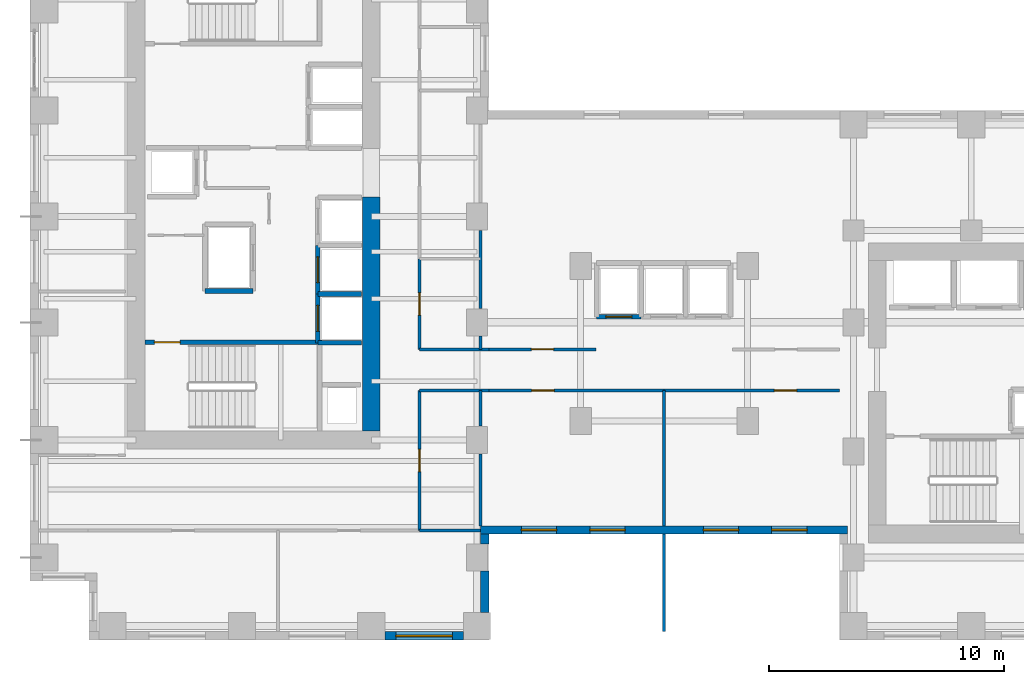
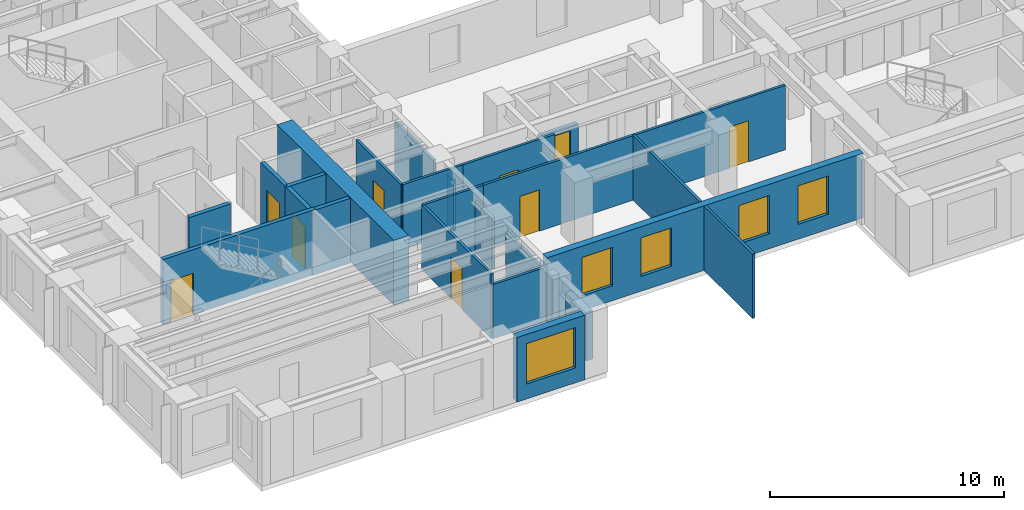
# One storey, part 5 of 13: 26 walls, 9 doors, 5 windows, 14 openings.
"""IFC4 building model written with IfcOpenShell, lengths in metres."""

from ifc_helpers import new_model, si_unit, direction, frame, frame_2d, origin, place, context, subcontext, project, spatial, rectangle, extrude, source, transform, mapped, material, layer, layer_set, type_object, element, fill, save


model = new_model("IFC4")

# Units and contexts
model_context = context("Model", 3, precision=1e-05, world=origin(), true_north=direction((0.0, 1.0)))
body_context = subcontext(model_context, "Body", "Model", "MODEL_VIEW")
ifc_project = project(units=[si_unit("LENGTHUNIT", "METRE"), si_unit("AREAUNIT", "SQUARE_METRE"), si_unit("VOLUMEUNIT", "CUBIC_METRE"), si_unit("PLANEANGLEUNIT", "RADIAN"), si_unit("MASSUNIT", "GRAM", prefix="KILO")], contexts=[model_context])

# Site, building, storey
site_placement = place(None, origin())
site = spatial("IfcSite", under=ifc_project, at=site_placement, CompositionType="ELEMENT")
building_placement = place(site_placement, origin())
building = spatial("IfcBuilding", under=site, at=building_placement, Name="Kharzan Plaza Tower", CompositionType="ELEMENT")
storey_placement = place(building_placement, frame((0.0, 0.0, 77.39990234375)))
storey = spatial("IfcBuildingStorey", under=building, at=storey_placement, Name="L20", CompositionType="ELEMENT", Elevation=77.39990234375)

# Wall, opening, window
ifc_material_1 = material(Name="Concrete C40/50", Category="concrete")
ifc_layer_1 = layer(ifc_material_1, 0.35009765625)
ifc_layer_set_1 = layer_set([ifc_layer_1], Name="Concrete C40/50")
wall_type_1 = type_object("IfcWallType", Name="WL-EXT-MAS-Z2", PredefinedType="SOLIDWALL", material=ifc_layer_set_1)
wall_1_placement = place(storey_placement, frame((15.072998046875, 0.175048828125, 0.0), z_axis=(0.0, 0.0, 1.0), x_axis=(1.0, 0.0, 0.0)))
wall_1 = element("IfcWall", 1, at=wall_1_placement, inside=storey, type_object=wall_type_1, Name="L20 Masonry-Frame Exterior Wall 25", PredefinedType="SOLIDWALL", context=body_context, shape_type="SweptSolid", body=[
    extrude(rectangle(XDim=3.35400390625, YDim=0.35009765625, at=frame_2d((1.677001953125, 0.0))), origin(), (0.0, 0.0, 1.0), 3.364990234375),
])
opening_1_placement = place(wall_1_placement, frame((0.47705078125, 0.0, 0.780029296875)))
opening_1 = element("IfcOpeningElement", 2, at=opening_1_placement, cuts=wall_1, Name="Opening W2", PredefinedType="OPENING", context=body_context, shape_type="SweptSolid", body=[
    extrude(rectangle(XDim=2.39990234375, YDim=2.10009765625, at=frame_2d((1.199951171875, 1.050048828125))), frame((0.0, 0.18505859375, 0.0), z_axis=(0.0, -1.0, 0.0), x_axis=(1.0, 0.0, 0.0)), (0.0, 0.0, 1.0), 0.3701171875),
])
ifc_material_2 = material(Name="Low-E Double Glazing", Category="glass")
window_type_1 = type_object("IfcWindowType", Name="WN-REC-2400x2100", PartitioningType="SINGLE_PANEL", PredefinedType="WINDOW", material=ifc_material_2)
shared_shape_1 = source(origin(), body_context, "Body", "SweptSolid", [
    extrude(rectangle(XDim=2.39990234375, YDim=2.10009765625, at=frame_2d((1.199951171875, 1.050048828125))), frame((0.0, 0.030029296875, 0.0), z_axis=(0.0, -1.0, 0.0), x_axis=(1.0, 0.0, 0.0)), (0.0, 0.0, 1.0), 0.06005859375),
])
window_1_placement = place(opening_1_placement, origin())
window_1 = element("IfcWindow", 3, at=window_1_placement, inside=storey, type_object=window_type_1, Name="L20 Wide Recessed Solar-Control Window 25-1", OverallHeight=2.10009765625, OverallWidth=2.39990234375, PartitioningType="SINGLE_PANEL", PredefinedType="WINDOW", context=body_context, shape_type="MappedRepresentation", body=[
    mapped(shared_shape_1, transform((0.0, 0.0, 0.0), x_axis=(1.0, 0.0, 0.0), y_axis=(0.0, 1.0, 0.0), z_axis=(0.0, 0.0, 1.0))),
])
fill(opening_1, window_1)

# Wall, openings, windows
wall_2_placement = place(storey_placement, frame((19.14990234375, 4.675048828125, 0.0), z_axis=(0.0, 0.0, 1.0), x_axis=(1.0, 0.0, 0.0)))
wall_2 = element("IfcWall", 4, at=wall_2_placement, inside=storey, type_object=wall_type_1, Name="L20 Masonry-Frame Exterior Wall 28", PredefinedType="SOLIDWALL", context=body_context, shape_type="SweptSolid", body=[
    extrude(rectangle(XDim=15.60009765625, YDim=0.35009765625, at=frame_2d((7.800048828125, 0.0))), origin(), (0.0, 0.0, 1.0), 3.364990234375),
])
opening_2_placement = place(wall_2_placement, frame((1.72998046875, 0.0, 0.780029296875)))
opening_2 = element("IfcOpeningElement", 5, at=opening_2_placement, cuts=wall_2, Name="Opening W5", PredefinedType="OPENING", context=body_context, shape_type="SweptSolid", body=[
    extrude(rectangle(XDim=1.5, YDim=2.0, at=frame_2d((0.75, 1.0))), frame((0.0, 0.18505859375, 0.0), z_axis=(0.0, -1.0, 0.0), x_axis=(1.0, 0.0, 0.0)), (0.0, 0.0, 1.0), 0.3701171875),
])
opening_3_placement = place(wall_2_placement, frame((4.639892578125, 0.0, 0.780029296875)))
opening_3 = element("IfcOpeningElement", 6, at=opening_3_placement, cuts=wall_2, Name="Opening W5", PredefinedType="OPENING", context=body_context, shape_type="SweptSolid", body=[
    extrude(rectangle(XDim=1.5, YDim=2.0, at=frame_2d((0.75, 1.0))), frame((0.0, 0.18505859375, 0.0), z_axis=(0.0, -1.0, 0.0), x_axis=(1.0, 0.0, 0.0)), (0.0, 0.0, 1.0), 0.3701171875),
])
opening_4_placement = place(wall_2_placement, frame((9.4599609375, 0.0, 0.780029296875)))
opening_4 = element("IfcOpeningElement", 7, at=opening_4_placement, cuts=wall_2, Name="Opening W5", PredefinedType="OPENING", context=body_context, shape_type="SweptSolid", body=[
    extrude(rectangle(XDim=1.5, YDim=2.0, at=frame_2d((0.75, 1.0))), frame((0.0, 0.18505859375, 0.0), z_axis=(0.0, -1.0, 0.0), x_axis=(1.0, 0.0, 0.0)), (0.0, 0.0, 1.0), 0.3701171875),
])
opening_5_placement = place(wall_2_placement, frame((12.3701171875, 0.0, 0.780029296875)))
opening_5 = element("IfcOpeningElement", 8, at=opening_5_placement, cuts=wall_2, Name="Opening W5", PredefinedType="OPENING", context=body_context, shape_type="SweptSolid", body=[
    extrude(rectangle(XDim=1.5, YDim=2.0, at=frame_2d((0.75, 1.0))), frame((0.0, 0.18505859375, 0.0), z_axis=(0.0, -1.0, 0.0), x_axis=(1.0, 0.0, 0.0)), (0.0, 0.0, 1.0), 0.3701171875),
])
window_type_2 = type_object("IfcWindowType", Name="WN-SLT-1500x2000", PartitioningType="SINGLE_PANEL", PredefinedType="WINDOW", material=ifc_material_2)
shared_shape_2 = source(origin(), body_context, "Body", "SweptSolid", [
    extrude(rectangle(XDim=1.5, YDim=2.0, at=frame_2d((0.75, 1.0))), frame((0.0, 0.030029296875, 0.0), z_axis=(0.0, -1.0, 0.0), x_axis=(1.0, 0.0, 0.0)), (0.0, 0.0, 1.0), 0.06005859375),
])
window_2_placement = place(opening_2_placement, origin())
window_2 = element("IfcWindow", 9, at=window_2_placement, inside=storey, type_object=window_type_2, Name="L20 Recessed Solar-Control Window 28-1", OverallHeight=2.0, OverallWidth=1.5, PartitioningType="SINGLE_PANEL", PredefinedType="WINDOW", context=body_context, shape_type="MappedRepresentation", body=[
    mapped(shared_shape_2, transform((0.0, 0.0, 0.0), x_axis=(1.0, 0.0, 0.0), y_axis=(0.0, 1.0, 0.0), z_axis=(0.0, 0.0, 1.0))),
])
fill(opening_2, window_2)
window_3_placement = place(opening_3_placement, origin())
window_3 = element("IfcWindow", 10, at=window_3_placement, inside=storey, type_object=window_type_2, Name="L20 Recessed Solar-Control Window 28-2", OverallHeight=2.0, OverallWidth=1.5, PartitioningType="SINGLE_PANEL", PredefinedType="WINDOW", context=body_context, shape_type="MappedRepresentation", body=[
    mapped(shared_shape_2, transform((0.0, 0.0, 0.0), x_axis=(1.0, 0.0, 0.0), y_axis=(0.0, 1.0, 0.0), z_axis=(0.0, 0.0, 1.0))),
])
fill(opening_3, window_3)
window_4_placement = place(opening_4_placement, origin())
window_4 = element("IfcWindow", 11, at=window_4_placement, inside=storey, type_object=window_type_2, Name="L20 Recessed Solar-Control Window 28-3", OverallHeight=2.0, OverallWidth=1.5, PartitioningType="SINGLE_PANEL", PredefinedType="WINDOW", context=body_context, shape_type="MappedRepresentation", body=[
    mapped(shared_shape_2, transform((0.0, 0.0, 0.0), x_axis=(1.0, 0.0, 0.0), y_axis=(0.0, 1.0, 0.0), z_axis=(0.0, 0.0, 1.0))),
])
fill(opening_4, window_4)
window_5_placement = place(opening_5_placement, origin())
window_5 = element("IfcWindow", 12, at=window_5_placement, inside=storey, type_object=window_type_2, Name="L20 Recessed Solar-Control Window 28-4", OverallHeight=2.0, OverallWidth=1.5, PartitioningType="SINGLE_PANEL", PredefinedType="WINDOW", context=body_context, shape_type="MappedRepresentation", body=[
    mapped(shared_shape_2, transform((0.0, 0.0, 0.0), x_axis=(1.0, 0.0, 0.0), y_axis=(0.0, 1.0, 0.0), z_axis=(0.0, 0.0, 1.0))),
])
fill(opening_5, window_5)

# Wall, opening, door
ifc_material_3 = material(Name="Fire-Rated Gypsum Board Partition", Category="gypsum")
ifc_layer_2 = layer(ifc_material_3, 0.125)
ifc_layer_set_2 = layer_set([ifc_layer_2], Name="Fire-Rated Gypsum Board Partition")
wall_type_2 = type_object("IfcWallType", Name="WL-INT-PART-125", PredefinedType="PARTITIONING", material=ifc_layer_set_2)
wall_3_placement = place(storey_placement, frame((16.550048828125, 12.35009765625, 0.0), z_axis=(0.0, 0.0, 1.0), x_axis=(0.0, 1.0, 0.0)))
wall_3 = element("IfcWall", 13, at=wall_3_placement, inside=storey, type_object=wall_type_2, Name="L20 Interior Partition SH-AEWN1", PredefinedType="PARTITIONING", context=body_context, shape_type="SweptSolid", body=[
    extrude(rectangle(XDim=3.849853515625, YDim=0.125, at=frame_2d((1.9248046875, 0.0))), origin(), (0.0, 0.0, 1.0), 3.364990234375),
])
opening_6_placement = place(wall_3_placement, frame((1.449951171875, 0.0, 0.0)))
opening_6 = element("IfcOpeningElement", 14, at=opening_6_placement, cuts=wall_3, Name="Opening OD1", PredefinedType="OPENING", context=body_context, shape_type="SweptSolid", body=[
    extrude(rectangle(XDim=0.949951171875, YDim=2.14990234375, at=frame_2d((0.47509765625, 1.074951171875))), frame((0.0, 0.072509765625, 0.0), z_axis=(0.0, -1.0, 0.0), x_axis=(1.0, 0.0, 0.0)), (0.0, 0.0, 1.0), 0.14501953125),
])
ifc_material_4 = material(Name="Acoustic Solid-Core Stained Oak", Category="timber")
door_type_1 = type_object("IfcDoorType", Name="DR-OFF-SINGLE", OperationType="NOTDEFINED", PredefinedType="DOOR", material=ifc_material_4)
shared_shape_3 = source(origin(), body_context, "Body", "SweptSolid", [
    extrude(rectangle(XDim=0.949951171875, YDim=2.14990234375, at=frame_2d((0.47509765625, 1.074951171875))), frame((0.0, 0.02490234375, 0.0), z_axis=(0.0, -1.0, 0.0), x_axis=(1.0, 0.0, 0.0)), (0.0, 0.0, 1.0), 0.050048828125),
])
door_1_placement = place(opening_6_placement, origin())
door_1 = element("IfcDoor", 15, at=door_1_placement, inside=storey, type_object=door_type_1, Name="L20 Slot Collaboration Door", OperationType="SINGLE_SWING_RIGHT", OverallHeight=2.14990234375, OverallWidth=0.949951171875, PredefinedType="DOOR", context=body_context, shape_type="MappedRepresentation", body=[
    mapped(shared_shape_3, transform((0.0, 0.0, 0.0), x_axis=(1.0, 0.0, 0.0), y_axis=(0.0, 1.0, 0.0), z_axis=(0.0, 0.0, 1.0))),
])
fill(opening_6, door_1)

wall_4_placement = place(storey_placement, frame((16.550048828125, 4.64990234375, 0.0), z_axis=(0.0, 0.0, 1.0), x_axis=(0.0, 1.0, 0.0)))
wall_4 = element("IfcWall", 16, at=wall_4_placement, inside=storey, type_object=wall_type_2, Name="L20 Interior Partition SH-AEWS", PredefinedType="PARTITIONING", context=body_context, shape_type="SweptSolid", body=[
    extrude(rectangle(XDim=5.9501953125, YDim=0.125, at=frame_2d((2.97509765625, 0.0))), origin(), (0.0, 0.0, 1.0), 3.364990234375),
])
opening_7_placement = place(wall_4_placement, frame((2.5, 0.0, 0.0)))
opening_7 = element("IfcOpeningElement", 17, at=opening_7_placement, cuts=wall_4, Name="Opening OD1", PredefinedType="OPENING", context=body_context, shape_type="SweptSolid", body=[
    extrude(rectangle(XDim=0.949951171875, YDim=2.14990234375, at=frame_2d((0.47509765625, 1.074951171875))), frame((0.0, 0.072509765625, 0.0), z_axis=(0.0, -1.0, 0.0), x_axis=(1.0, 0.0, 0.0)), (0.0, 0.0, 1.0), 0.14501953125),
])
door_2_placement = place(opening_7_placement, origin())
door_2 = element("IfcDoor", 18, at=door_2_placement, inside=storey, type_object=door_type_1, Name="L20 Slot South Office Door", OperationType="SINGLE_SWING_LEFT", OverallHeight=2.14990234375, OverallWidth=0.949951171875, PredefinedType="DOOR", context=body_context, shape_type="MappedRepresentation", body=[
    mapped(shared_shape_3, transform((0.0, 0.0, 0.0), x_axis=(1.0, 0.0, 0.0), y_axis=(0.0, 1.0, 0.0), z_axis=(0.0, 0.0, 1.0))),
])
fill(opening_7, door_2)

wall_5_placement = place(storey_placement, frame((19.5, 12.35009765625, 0.0), z_axis=(0.0, 0.0, 1.0), x_axis=(1.0, 0.0, 0.0)))
wall_5 = element("IfcWall", 19, at=wall_5_placement, inside=storey, type_object=wall_type_2, Name="L20 Interior Partition SH-SPNW1", PredefinedType="PARTITIONING", context=body_context, shape_type="SweptSolid", body=[
    extrude(rectangle(XDim=4.550048828125, YDim=0.125, at=frame_2d((2.27490234375, 0.0))), origin(), (0.0, 0.0, 1.0), 3.364990234375),
])
opening_8_placement = place(wall_5_placement, frame((1.800048828125, 0.0, 0.0)))
opening_8 = element("IfcOpeningElement", 20, at=opening_8_placement, cuts=wall_5, Name="Opening OD1", PredefinedType="OPENING", context=body_context, shape_type="SweptSolid", body=[
    extrude(rectangle(XDim=0.949951171875, YDim=2.14990234375, at=frame_2d((0.47509765625, 1.074951171875))), frame((0.0, 0.072509765625, 0.0), z_axis=(0.0, -1.0, 0.0), x_axis=(1.0, 0.0, 0.0)), (0.0, 0.0, 1.0), 0.14501953125),
])
door_3_placement = place(opening_8_placement, origin())
door_3 = element("IfcDoor", 21, at=door_3_placement, inside=storey, type_object=door_type_1, Name="L20 North-West Spine Door", OperationType="SINGLE_SWING_RIGHT", OverallHeight=2.14990234375, OverallWidth=0.949951171875, PredefinedType="DOOR", context=body_context, shape_type="MappedRepresentation", body=[
    mapped(shared_shape_3, transform((0.0, 0.0, 0.0), x_axis=(1.0, 0.0, 0.0), y_axis=(0.0, 1.0, 0.0), z_axis=(0.0, 0.0, 1.0))),
])
fill(opening_8, door_3)

wall_6_placement = place(storey_placement, frame((19.5, 10.60009765625, 0.0), z_axis=(0.0, 0.0, 1.0), x_axis=(1.0, 0.0, 0.0)))
wall_6 = element("IfcWall", 22, at=wall_6_placement, inside=storey, type_object=wall_type_2, Name="L20 Interior Partition SH-SPS1", PredefinedType="PARTITIONING", context=body_context, shape_type="SweptSolid", body=[
    extrude(rectangle(XDim=7.449951171875, YDim=0.125, at=frame_2d((3.72509765625, 0.0))), origin(), (0.0, 0.0, 1.0), 3.364990234375),
])
opening_9_placement = place(wall_6_placement, frame((1.8173828125, 0.0, 0.0)))
opening_9 = element("IfcOpeningElement", 23, at=opening_9_placement, cuts=wall_6, Name="Opening OD1", PredefinedType="OPENING", context=body_context, shape_type="SweptSolid", body=[
    extrude(rectangle(XDim=0.949951171875, YDim=2.14990234375, at=frame_2d((0.47509765625, 1.074951171875))), frame((0.0, 0.072509765625, 0.0), z_axis=(0.0, -1.0, 0.0), x_axis=(1.0, 0.0, 0.0)), (0.0, 0.0, 1.0), 0.14501953125),
])
door_4_placement = place(opening_9_placement, origin())
door_4 = element("IfcDoor", 24, at=door_4_placement, inside=storey, type_object=door_type_1, Name="L20 South Spine West Door", OperationType="SINGLE_SWING_RIGHT", OverallHeight=2.14990234375, OverallWidth=0.949951171875, PredefinedType="DOOR", context=body_context, shape_type="MappedRepresentation", body=[
    mapped(shared_shape_3, transform((0.0, 0.0, 0.0), x_axis=(1.0, 0.0, 0.0), y_axis=(0.0, 1.0, 0.0), z_axis=(0.0, 0.0, 1.0))),
])
fill(opening_9, door_4)

wall_7_placement = place(storey_placement, frame((26.949951171875, 10.60009765625, 0.0), z_axis=(0.0, 0.0, 1.0), x_axis=(1.0, 0.0, 0.0)))
wall_7 = element("IfcWall", 25, at=wall_7_placement, inside=storey, type_object=wall_type_2, Name="L20 Interior Partition SH-SPS2", PredefinedType="PARTITIONING", context=body_context, shape_type="SweptSolid", body=[
    extrude(rectangle(XDim=7.449951171875, YDim=0.125, at=frame_2d((3.72509765625, 0.0))), origin(), (0.0, 0.0, 1.0), 3.364990234375),
])
opening_10_placement = place(wall_7_placement, frame((4.6826171875, 0.0, 0.0)))
opening_10 = element("IfcOpeningElement", 26, at=opening_10_placement, cuts=wall_7, Name="Opening OD1", PredefinedType="OPENING", context=body_context, shape_type="SweptSolid", body=[
    extrude(rectangle(XDim=0.949951171875, YDim=2.14990234375, at=frame_2d((0.47509765625, 1.074951171875))), frame((0.0, 0.072509765625, 0.0), z_axis=(0.0, -1.0, 0.0), x_axis=(1.0, 0.0, 0.0)), (0.0, 0.0, 1.0), 0.14501953125),
])
door_5_placement = place(opening_10_placement, origin())
door_5 = element("IfcDoor", 27, at=door_5_placement, inside=storey, type_object=door_type_1, Name="L20 South Spine East Door", OperationType="SINGLE_SWING_LEFT", OverallHeight=2.14990234375, OverallWidth=0.949951171875, PredefinedType="DOOR", context=body_context, shape_type="MappedRepresentation", body=[
    mapped(shared_shape_3, transform((0.0, 0.0, 0.0), x_axis=(1.0, 0.0, 0.0), y_axis=(0.0, 1.0, 0.0), z_axis=(0.0, 0.0, 1.0))),
])
fill(opening_10, door_5)

ifc_layer_3 = layer(ifc_material_1, 0.199951171875)
ifc_layer_set_3 = layer_set([ifc_layer_3], Name="Concrete C40/50")
wall_type_3 = type_object("IfcWallType", Name="WL-INT-SHAFT-200", PredefinedType="PARTITIONING", material=ifc_layer_set_3)
wall_8_placement = place(storey_placement, frame((12.22998046875, 12.6298828125, 0.0), z_axis=(0.0, 0.0, 1.0), x_axis=(0.0, 1.0, 0.0)))
wall_8 = element("IfcWall", 28, at=wall_8_placement, inside=storey, type_object=wall_type_3, Name="L20 Interior Partition SHF-PL-H1-W", PredefinedType="PARTITIONING", context=body_context, shape_type="SweptSolid", body=[
    extrude(rectangle(XDim=2.070068359375, YDim=0.199951171875, at=frame_2d((1.03515625, 0.0))), origin(), (0.0, 0.0, 1.0), 3.364990234375),
])
opening_11_placement = place(wall_8_placement, frame((0.485107421875, 0.0, 0.0)))
opening_11 = element("IfcOpeningElement", 29, at=opening_11_placement, cuts=wall_8, Name="Opening LD", PredefinedType="OPENING", context=body_context, shape_type="SweptSolid", body=[
    extrude(rectangle(XDim=1.10009765625, YDim=2.199951171875, at=frame_2d((0.550048828125, 1.10009765625))), frame((0.0, 0.10986328125, 0.0), z_axis=(0.0, -1.0, 0.0), x_axis=(1.0, 0.0, 0.0)), (0.0, 0.0, 1.0), 0.219970703125),
])
ifc_material_5 = material(Name="Brushed Stainless Steel", Category="steel")
door_type_2 = type_object("IfcDoorType", Name="DR-LIFT-SLIDE", OperationType="SLIDING_TO_LEFT", PredefinedType="DOOR", material=ifc_material_5)
shared_shape_4 = source(origin(), body_context, "Body", "SweptSolid", [
    extrude(rectangle(XDim=1.10009765625, YDim=2.199951171875, at=frame_2d((0.550048828125, 1.10009765625))), frame((0.0, 0.02490234375, 0.0), z_axis=(0.0, -1.0, 0.0), x_axis=(1.0, 0.0, 0.0)), (0.0, 0.0, 1.0), 0.050048828125),
])
door_6_placement = place(opening_11_placement, origin())
door_6 = element("IfcDoor", 30, at=door_6_placement, inside=storey, type_object=door_type_2, Name="L20 High-Rise Passenger Lift PL-H1 Sliding Landing Door", OperationType="SLIDING_TO_LEFT", OverallHeight=2.199951171875, OverallWidth=1.10009765625, PredefinedType="DOOR", context=body_context, shape_type="MappedRepresentation", body=[
    mapped(shared_shape_4, transform((0.0, 0.0, 0.0), x_axis=(1.0, 0.0, 0.0), y_axis=(0.0, 1.0, 0.0), z_axis=(0.0, 0.0, 1.0))),
])
fill(opening_11, door_6)

wall_9_placement = place(storey_placement, frame((12.22998046875, 14.699951171875, 0.0), z_axis=(0.0, 0.0, 1.0), x_axis=(0.0, 1.0, 0.0)))
wall_9 = element("IfcWall", 31, at=wall_9_placement, inside=storey, type_object=wall_type_3, Name="L20 Interior Partition SHF-PL-H2-W", PredefinedType="PARTITIONING", context=body_context, shape_type="SweptSolid", body=[
    extrude(rectangle(XDim=2.070068359375, YDim=0.199951171875, at=frame_2d((1.03515625, 0.0))), origin(), (0.0, 0.0, 1.0), 3.364990234375),
])
opening_12_placement = place(wall_9_placement, frame((0.485107421875, 0.0, 0.0)))
opening_12 = element("IfcOpeningElement", 32, at=opening_12_placement, cuts=wall_9, Name="Opening LD", PredefinedType="OPENING", context=body_context, shape_type="SweptSolid", body=[
    extrude(rectangle(XDim=1.10009765625, YDim=2.199951171875, at=frame_2d((0.550048828125, 1.10009765625))), frame((0.0, 0.10986328125, 0.0), z_axis=(0.0, -1.0, 0.0), x_axis=(1.0, 0.0, 0.0)), (0.0, 0.0, 1.0), 0.219970703125),
])
door_7_placement = place(opening_12_placement, origin())
door_7 = element("IfcDoor", 33, at=door_7_placement, inside=storey, type_object=door_type_2, Name="L20 High-Rise Passenger Lift PL-H2 Sliding Landing Door", OperationType="SLIDING_TO_LEFT", OverallHeight=2.199951171875, OverallWidth=1.10009765625, PredefinedType="DOOR", context=body_context, shape_type="MappedRepresentation", body=[
    mapped(shared_shape_4, transform((0.0, 0.0, 0.0), x_axis=(1.0, 0.0, 0.0), y_axis=(0.0, 1.0, 0.0), z_axis=(0.0, 0.0, 1.0))),
])
fill(opening_12, door_7)

wall_10_placement = place(storey_placement, frame((24.080078125, 13.72998046875, 0.0), z_axis=(0.0, 0.0, 1.0), x_axis=(1.0, 0.0, 0.0)))
wall_10 = element("IfcWall", 34, at=wall_10_placement, inside=storey, type_object=wall_type_3, Name="L20 Interior Partition SHF-PL-M1-S", PredefinedType="PARTITIONING", context=body_context, shape_type="SweptSolid", body=[
    extrude(rectangle(XDim=1.889892578125, YDim=0.199951171875, at=frame_2d((0.94482421875, 0.0))), origin(), (0.0, 0.0, 1.0), 2.446044921875),
])
opening_13_placement = place(wall_10_placement, frame((0.39501953125, 0.0, 0.0)))
opening_13 = element("IfcOpeningElement", 35, at=opening_13_placement, cuts=wall_10, Name="Opening LD", PredefinedType="OPENING", context=body_context, shape_type="SweptSolid", body=[
    extrude(rectangle(XDim=1.10009765625, YDim=2.199951171875, at=frame_2d((0.550048828125, 1.10009765625))), frame((0.0, 0.10986328125, 0.0), z_axis=(0.0, -1.0, 0.0), x_axis=(1.0, 0.0, 0.0)), (0.0, 0.0, 1.0), 0.219970703125),
])
door_8_placement = place(opening_13_placement, origin())
door_8 = element("IfcDoor", 36, at=door_8_placement, inside=storey, type_object=door_type_2, Name="L20 Mid-Rise Passenger Lift PL-M1 Sliding Landing Door", OperationType="SLIDING_TO_LEFT", OverallHeight=2.199951171875, OverallWidth=1.10009765625, PredefinedType="DOOR", context=body_context, shape_type="MappedRepresentation", body=[
    mapped(shared_shape_4, transform((0.0, 0.0, 0.0), x_axis=(1.0, 0.0, 0.0), y_axis=(0.0, 1.0, 0.0), z_axis=(0.0, 0.0, 1.0))),
])
fill(opening_13, door_8)

ifc_material_6 = material(Name="Concrete C50/60", Category="concrete")
ifc_layer_4 = layer(ifc_material_6, 0.199951171875)
ifc_layer_set_4 = layer_set([ifc_layer_4], Name="Concrete C50/60")
wall_type_4 = type_object("IfcWallType", Name="WL-SHAFT-RC200", PredefinedType="SHEAR", material=ifc_layer_set_4)
wall_11_placement = place(storey_placement, frame((4.876953125, 12.655029296875, 0.0), z_axis=(0.0, 0.0, 1.0), x_axis=(1.0, 0.0, 0.0)))
wall_11 = element("IfcWall", 37, at=wall_11_placement, inside=storey, type_object=wall_type_4, Name="L20 Stair ST-1 North RC Shaft Wall", PredefinedType="SHEAR", context=body_context, shape_type="SweptSolid", body=[
    extrude(rectangle(XDim=7.528076171875, YDim=0.199951171875, at=frame_2d((3.76416015625, 0.0))), origin(), (0.0, 0.0, 1.0), 3.380126953125),
])
opening_14_placement = place(wall_11_placement, frame((0.39990234375, 0.0, 0.0)))
opening_14 = element("IfcOpeningElement", 38, at=opening_14_placement, cuts=wall_11, Name="Opening SD1", PredefinedType="OPENING", context=body_context, shape_type="SweptSolid", body=[
    extrude(rectangle(XDim=1.10009765625, YDim=2.14990234375, at=frame_2d((0.550048828125, 1.074951171875))), frame((0.0, 0.10986328125, 0.0), z_axis=(0.0, -1.0, 0.0), x_axis=(1.0, 0.0, 0.0)), (0.0, 0.0, 1.0), 0.219970703125),
])
ifc_material_7 = material(Name="Fire-Rated Hollow Galvanized Steel", Category="steel")
door_type_3 = type_object("IfcDoorType", Name="DR-STAIR-FD120", OperationType="NOTDEFINED", PredefinedType="DOOR", material=ifc_material_7)
shared_shape_5 = source(origin(), body_context, "Body", "SweptSolid", [
    extrude(rectangle(XDim=1.10009765625, YDim=2.14990234375, at=frame_2d((0.550048828125, 1.074951171875))), frame((0.0, 0.02490234375, 0.0), z_axis=(0.0, -1.0, 0.0), x_axis=(1.0, 0.0, 0.0)), (0.0, 0.0, 1.0), 0.050048828125),
])
door_9_placement = place(opening_14_placement, origin())
door_9 = element("IfcDoor", 39, at=door_9_placement, inside=storey, type_object=door_type_3, Name="L20 Stair ST-1 Fire Exit Door", OperationType="SINGLE_SWING_RIGHT", OverallHeight=2.14990234375, OverallWidth=1.10009765625, PredefinedType="DOOR", context=body_context, shape_type="MappedRepresentation", body=[
    mapped(shared_shape_5, transform((0.0, 0.0, 0.0), x_axis=(1.0, 0.0, 0.0), y_axis=(0.0, 1.0, 0.0), z_axis=(0.0, 0.0, 1.0))),
])
fill(opening_14, door_9)

# Walls
shared_shape_6 = source(origin(), body_context, "Body", "SweptSolid", [
    extrude(rectangle(XDim=2.949951171875, YDim=0.125, at=frame_2d((1.47509765625, 0.0))), origin(), (0.0, 0.0, 1.0), 3.364990234375),
])
for number, where, z_axis, x_axis, name in (
    (40, (16.550048828125, 12.35009765625, 0.0), (0.0, 0.0, 1.0), (1.0, 0.0, 0.0), "L20 Interior Partition SH-SPNW0"),
    (41, (16.550048828125, 10.60009765625, 0.0), (0.0, 0.0, 1.0), (1.0, 0.0, 0.0), "L20 Interior Partition SH-SPS0"),
):
    element("IfcWall", number, at=place(storey_placement, frame(where, z_axis=z_axis, x_axis=x_axis)), inside=storey, type_object=wall_type_2, Name=name, PredefinedType="PARTITIONING", context=body_context, shape_type="MappedRepresentation", body=[
        mapped(shared_shape_6, transform((0.0, 0.0, 0.0), x_axis=(1.0, 0.0, 0.0), y_axis=(0.0, 1.0, 0.0), z_axis=(0.0, 0.0, 1.0))),
    ])
shared_shape_7 = source(origin(), body_context, "Body", "SweptSolid", [
    extrude(rectangle(XDim=2.0400390625, YDim=0.199951171875, at=frame_2d((1.02001953125, 0.0))), origin(), (0.0, 0.0, 1.0), 3.364990234375),
])
wall_12_placement = place(storey_placement, frame((7.429931640625, 14.830078125, 0.0), z_axis=(0.0, 0.0, 1.0), x_axis=(1.0, 0.0, 0.0)))
element("IfcWall", 42, at=wall_12_placement, inside=storey, type_object=wall_type_3, Name="L20 Interior Partition SHF-SVL-1-S", PredefinedType="PARTITIONING", context=body_context, shape_type="MappedRepresentation", body=[
    mapped(shared_shape_7, transform((0.0, 0.0, 0.0), x_axis=(1.0, 0.0, 0.0), y_axis=(0.0, 1.0, 0.0), z_axis=(0.0, 0.0, 1.0))),
])
ifc_material_8 = material(Name="Concrete C60/75", Category="concrete")
ifc_layer_5 = layer(ifc_material_8, 0.75)
ifc_layer_set_5 = layer_set([ifc_layer_5], Name="Concrete C60/75")
wall_type_5 = type_object("IfcWallType", Name="WL-CORE-750", PredefinedType="SHEAR", material=ifc_layer_set_5)
shared_shape_8 = source(origin(), body_context, "Body", "SweptSolid", [
    extrude(rectangle(XDim=9.945068359375, YDim=0.75, at=frame_2d((4.97265625, 0.0))), origin(), (0.0, 0.0, 1.0), 3.380126953125),
])
wall_13_placement = place(storey_placement, frame((14.5, 8.875, 0.0), z_axis=(0.0, 0.0, 1.0), x_axis=(0.0, 1.0, 0.0)))
element("IfcWall", 43, at=wall_13_placement, inside=storey, type_object=wall_type_5, Name="L20 CORE-A east shear pier 1", PredefinedType="SHEAR", context=body_context, shape_type="MappedRepresentation", body=[
    mapped(shared_shape_8, transform((0.0, 0.0, 0.0), x_axis=(1.0, 0.0, 0.0), y_axis=(0.0, 1.0, 0.0), z_axis=(0.0, 0.0, 1.0))),
])
shared_shape_9 = source(origin(), body_context, "Body", "SweptSolid", [
    extrude(rectangle(XDim=1.75390625, YDim=0.35009765625, at=frame_2d((0.876953125, 0.0))), origin(), (0.0, 0.0, 1.0), 2.51904296875),
])
wall_14_placement = place(storey_placement, frame((19.324951171875, 1.173095703125, 0.0), z_axis=(0.0, 0.0, 1.0), x_axis=(0.0, 1.0, 0.0)))
element("IfcWall", 44, at=wall_14_placement, inside=storey, type_object=wall_type_1, Name="L20 Masonry-Frame Exterior Wall 26", PredefinedType="SOLIDWALL", context=body_context, shape_type="MappedRepresentation", body=[
    mapped(shared_shape_9, transform((0.0, 0.0, 0.0), x_axis=(1.0, 0.0, 0.0), y_axis=(0.0, 1.0, 0.0), z_axis=(0.0, 0.0, 1.0))),
])
shared_shape_10 = source(origin(), body_context, "Body", "SweptSolid", [
    extrude(rectangle(XDim=0.428955078125, YDim=0.35009765625, at=frame_2d((0.21435546875, 0.0))), origin(), (0.0, 0.0, 1.0), 2.677001953125),
])
wall_15_placement = place(storey_placement, frame((19.324951171875, 4.072998046875, 0.0), z_axis=(0.0, 0.0, 1.0), x_axis=(0.0, 1.0, 0.0)))
element("IfcWall", 45, at=wall_15_placement, inside=storey, type_object=wall_type_1, Name="L20 Masonry-Frame Exterior Wall 27", PredefinedType="SOLIDWALL", context=body_context, shape_type="MappedRepresentation", body=[
    mapped(shared_shape_10, transform((0.0, 0.0, 0.0), x_axis=(1.0, 0.0, 0.0), y_axis=(0.0, 1.0, 0.0), z_axis=(0.0, 0.0, 1.0))),
])
shared_shape_11 = source(origin(), body_context, "Body", "SweptSolid", [
    extrude(rectangle(XDim=0.559814453125, YDim=0.125, at=frame_2d((0.27978515625, 0.0))), origin(), (0.0, 0.0, 1.0), 2.677001953125),
])
wall_16_placement = place(storey_placement, frame((19.14990234375, 12.35009765625, 0.0), z_axis=(0.0, 0.0, 1.0), x_axis=(0.0, 1.0, 0.0)))
element("IfcWall", 46, at=wall_16_placement, inside=storey, type_object=wall_type_2, Name="L20 Interior Partition SH-AEN-DIV-S1", PredefinedType="PARTITIONING", context=body_context, shape_type="MappedRepresentation", body=[
    mapped(shared_shape_11, transform((0.0, 0.0, 0.0), x_axis=(1.0, 0.0, 0.0), y_axis=(0.0, 1.0, 0.0), z_axis=(0.0, 0.0, 1.0))),
])
shared_shape_12 = source(origin(), body_context, "Body", "SweptSolid", [
    extrude(rectangle(XDim=3.31982421875, YDim=0.125, at=frame_2d((1.659912109375, 0.0))), origin(), (0.0, 0.0, 1.0), 2.677001953125),
])
wall_17_placement = place(storey_placement, frame((19.14990234375, 14.090087890625, 0.0), z_axis=(0.0, 0.0, 1.0), x_axis=(0.0, 1.0, 0.0)))
element("IfcWall", 47, at=wall_17_placement, inside=storey, type_object=wall_type_2, Name="L20 Interior Partition SH-AEN-DIV-S2", PredefinedType="PARTITIONING", context=body_context, shape_type="MappedRepresentation", body=[
    mapped(shared_shape_12, transform((0.0, 0.0, 0.0), x_axis=(1.0, 0.0, 0.0), y_axis=(0.0, 1.0, 0.0), z_axis=(0.0, 0.0, 1.0))),
])
shared_shape_13 = source(origin(), body_context, "Body", "SweptSolid", [
    extrude(rectangle(XDim=3.057861328125, YDim=0.125, at=frame_2d((1.52880859375, 0.0))), origin(), (0.0, 0.0, 1.0), 2.677001953125),
])
wall_18_placement = place(storey_placement, frame((19.14990234375, 4.85205078125, 0.0), z_axis=(0.0, 0.0, 1.0), x_axis=(0.0, 1.0, 0.0)))
element("IfcWall", 48, at=wall_18_placement, inside=storey, type_object=wall_type_2, Name="L20 Interior Partition SH-AESP-DIV-S1", PredefinedType="PARTITIONING", context=body_context, shape_type="MappedRepresentation", body=[
    mapped(shared_shape_13, transform((0.0, 0.0, 0.0), x_axis=(1.0, 0.0, 0.0), y_axis=(0.0, 1.0, 0.0), z_axis=(0.0, 0.0, 1.0))),
])
shared_shape_14 = source(origin(), body_context, "Body", "SweptSolid", [
    extrude(rectangle(XDim=1.510009765625, YDim=0.125, at=frame_2d((0.7548828125, 0.0))), origin(), (0.0, 0.0, 1.0), 2.677001953125),
])
wall_19_placement = place(storey_placement, frame((19.14990234375, 9.090087890625, 0.0), z_axis=(0.0, 0.0, 1.0), x_axis=(0.0, 1.0, 0.0)))
element("IfcWall", 49, at=wall_19_placement, inside=storey, type_object=wall_type_2, Name="L20 Interior Partition SH-AESP-DIV-S2", PredefinedType="PARTITIONING", context=body_context, shape_type="MappedRepresentation", body=[
    mapped(shared_shape_14, transform((0.0, 0.0, 0.0), x_axis=(1.0, 0.0, 0.0), y_axis=(0.0, 1.0, 0.0), z_axis=(0.0, 0.0, 1.0))),
])
shared_shape_15 = source(origin(), body_context, "Body", "SweptSolid", [
    extrude(rectangle(XDim=4.14794921875, YDim=0.125, at=frame_2d((2.073974609375, 0.0))), origin(), (0.0, 0.0, 1.0), 3.364990234375),
])
wall_20_placement = place(storey_placement, frame((26.949951171875, 0.35009765625, 0.0), z_axis=(0.0, 0.0, 1.0), x_axis=(0.0, 1.0, 0.0)))
element("IfcWall", 50, at=wall_20_placement, inside=storey, type_object=wall_type_2, Name="L20 Interior Partition SH-SPSV1-S1", PredefinedType="PARTITIONING", context=body_context, shape_type="MappedRepresentation", body=[
    mapped(shared_shape_15, transform((0.0, 0.0, 0.0), x_axis=(1.0, 0.0, 0.0), y_axis=(0.0, 1.0, 0.0), z_axis=(0.0, 0.0, 1.0))),
])
shared_shape_16 = source(origin(), body_context, "Body", "SweptSolid", [
    extrude(rectangle(XDim=5.748046875, YDim=0.125, at=frame_2d((2.8740234375, 0.0))), origin(), (0.0, 0.0, 1.0), 3.364990234375),
])
wall_21_placement = place(storey_placement, frame((26.949951171875, 4.85205078125, 0.0), z_axis=(0.0, 0.0, 1.0), x_axis=(0.0, 1.0, 0.0)))
element("IfcWall", 51, at=wall_21_placement, inside=storey, type_object=wall_type_2, Name="L20 Interior Partition SH-SPSV1-S2", PredefinedType="PARTITIONING", context=body_context, shape_type="MappedRepresentation", body=[
    mapped(shared_shape_16, transform((0.0, 0.0, 0.0), x_axis=(1.0, 0.0, 0.0), y_axis=(0.0, 1.0, 0.0), z_axis=(0.0, 0.0, 1.0))),
])
shared_shape_17 = source(origin(), body_context, "Body", "SweptSolid", [
    extrude(rectangle(XDim=2.599853515625, YDim=0.125, at=frame_2d((1.2998046875, 0.0))), origin(), (0.0, 0.0, 1.0), 2.828125),
])
wall_22_placement = place(storey_placement, frame((16.550048828125, 4.64990234375, 0.0), z_axis=(0.0, 0.0, 1.0), x_axis=(1.0, 0.0, 0.0)))
element("IfcWall", 52, at=wall_22_placement, inside=storey, type_object=wall_type_2, Name="L20 Interior Partition SH-SSE-2", PredefinedType="PARTITIONING", context=body_context, shape_type="MappedRepresentation", body=[
    mapped(shared_shape_17, transform((0.0, 0.0, 0.0), x_axis=(1.0, 0.0, 0.0), y_axis=(0.0, 1.0, 0.0), z_axis=(0.0, 0.0, 1.0))),
])
shared_shape_18 = source(origin(), body_context, "Body", "SweptSolid", [
    extrude(rectangle(XDim=1.864990234375, YDim=0.199951171875, at=frame_2d((0.9326171875, 0.0))), origin(), (0.0, 0.0, 1.0), 3.364990234375),
])
for number, where, z_axis, x_axis, name in (
    (53, (12.22998046875, 14.699951171875, 0.0), (0.0, 0.0, 1.0), (1.0, 0.0, 0.0), "L20 Interior Partition SHF-PL-H1-N"),
    (54, (12.22998046875, 12.6298828125, 0.0), (0.0, 0.0, 1.0), (1.0, 0.0, 0.0), "L20 Interior Partition SHF-PL-H1-S"),
):
    element("IfcWall", number, at=place(storey_placement, frame(where, z_axis=z_axis, x_axis=x_axis)), inside=storey, type_object=wall_type_3, Name=name, PredefinedType="PARTITIONING", context=body_context, shape_type="MappedRepresentation", body=[
        mapped(shared_shape_18, transform((0.0, 0.0, 0.0), x_axis=(1.0, 0.0, 0.0), y_axis=(0.0, 1.0, 0.0), z_axis=(0.0, 0.0, 1.0))),
    ])

save(model, "model.ifc")
